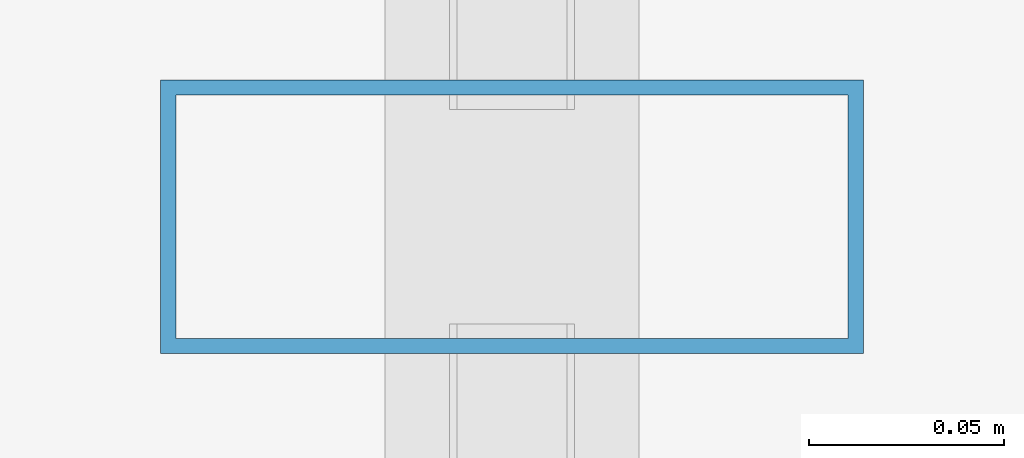
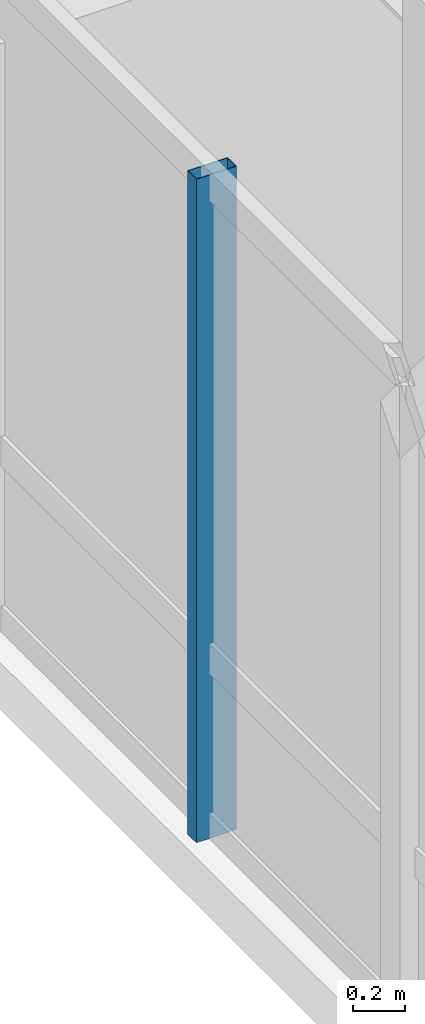
# One storey, part 12 of 38: 1 member, 1 element without a shape of its own.
"""IFC4 building model written with IfcOpenShell, lengths in metres."""

from ifc_helpers import new_model, si_unit, direction, frame, origin, origin_2d, place, context, subcontext, project, spatial, hollow_rectangle, extrude, material, layer, layer_set, material_profile, profile_set, type_object, element, aggregate, save


model = new_model("IFC4")

# Units and contexts
model_context = context("Model", 3, precision=1e-05, world=origin(), true_north=direction((0.0, 1.0)))
body_context = subcontext(model_context, "Body", "Model", "MODEL_VIEW")
ifc_project = project(units=[si_unit("LENGTHUNIT", "METRE"), si_unit("AREAUNIT", "SQUARE_METRE"), si_unit("VOLUMEUNIT", "CUBIC_METRE"), si_unit("PLANEANGLEUNIT", "RADIAN"), si_unit("MASSUNIT", "GRAM", prefix="KILO")], contexts=[model_context])

# Site, building, storey
site_placement = place(None, origin())
site = spatial("IfcSite", under=ifc_project, at=site_placement, CompositionType="ELEMENT")
building_placement = place(site_placement, origin())
building = spatial("IfcBuilding", under=site, at=building_placement, Name="Hatsunagi Terrace Concourse", CompositionType="ELEMENT")
storey_placement = place(building_placement, frame((0.0, 0.0, 60.050048828125)))
storey = spatial("IfcBuildingStorey", under=building, at=storey_placement, Name="L15", CompositionType="ELEMENT", Elevation=60.050048828125)

# Curtain wall, member
ifc_material_1 = material(Name="Anodised Aluminium Alloy 6063-T5", Category="aluminium")
ifc_layer = layer(ifc_material_1, 0.199951171875)
ifc_layer_set = layer_set([ifc_layer], Name="HotelFacade_CW02")
curtain_wall_type = type_object("IfcCurtainWallType", Name="HotelFacade_CW02", PredefinedType="NOTDEFINED", material=ifc_layer_set)
curtain_wall_placement = place(storey_placement, origin())
curtain_wall = element("IfcCurtainWall", 1, at=curtain_wall_placement, inside=storey, type_object=curtain_wall_type, Name="Unitised Curtain Wall CW-02 CW-L15-09", PredefinedType="NOTDEFINED")
ifc_material_2 = material(Name="Anodised Aluminium Alloy 6063-T5", Category="aluminium")
ifc_material_profile = material_profile(ifc_material_2, hollow_rectangle(XDim=0.070068359375, YDim=0.179931640625, WallThickness=0.00390625, at=origin_2d()), Name="ALU-MUL-180x70x4")
ifc_profile_set = profile_set([ifc_material_profile], Name="Anodised Aluminium Alloy 6063-T5")
member_type = type_object("IfcMemberType", Name="CurtainWallMullion_180x70", PredefinedType="MULLION", material=ifc_profile_set)
member_placement = place(storey_placement, frame((0.139892578125, 36.89990234375, 0.0), z_axis=(0.0, 0.0, 1.0), x_axis=(0.0, 1.0, 0.0)))
member = element("IfcMember", 2, at=member_placement, type_object=member_type, Name="Curtain Wall Mullion MUL-02", PredefinedType="MULLION", context=body_context, shape_type="SweptSolid", body=[
    extrude(hollow_rectangle(XDim=0.070068359375, YDim=0.179931640625, WallThickness=0.00390625, at=origin_2d()), origin(), (0.0, 0.0, 1.0), 3.1298828125),
])
aggregate(curtain_wall, [member])

save(model, "model.ifc")
